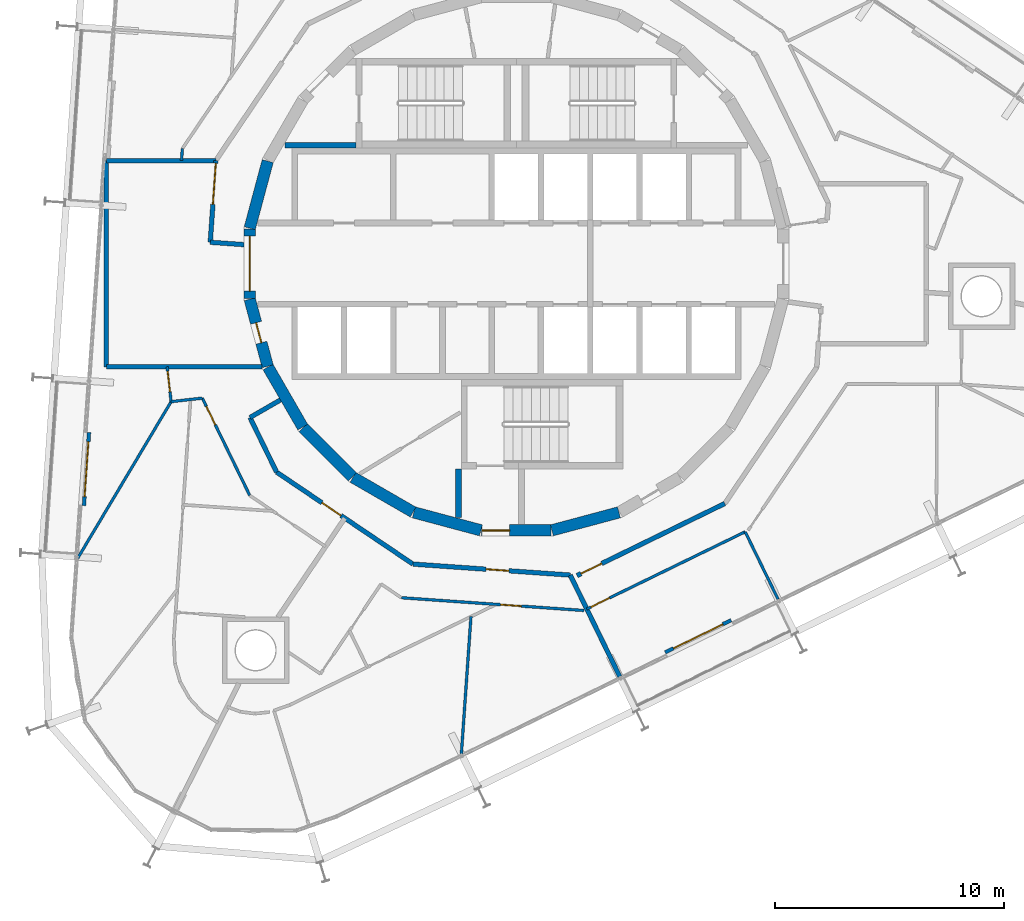
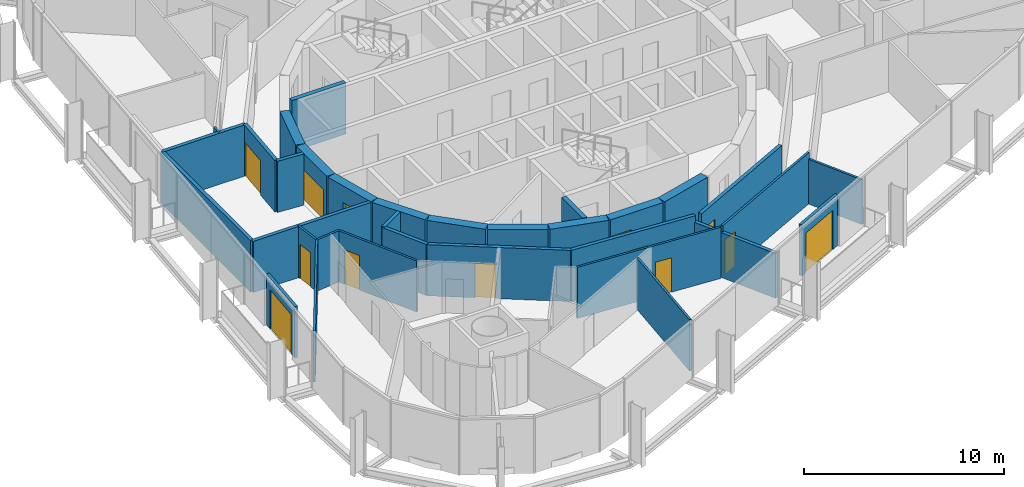
# One storey, part 12 of 17: 33 walls, 13 doors, 13 openings.
"""IFC4 building model written with IfcOpenShell, lengths in metres."""

from ifc_helpers import new_model, si_unit, direction, frame, frame_2d, origin, place, context, subcontext, project, spatial, rectangle, extrude, material, layer, layer_set, type_object, element, fill, save


model = new_model("IFC4")

# Units and contexts
model_context = context("Model", 3, precision=1e-05, world=origin(), true_north=direction((0.0, 1.0)))
body_context = subcontext(model_context, "Body", "Model", "MODEL_VIEW")
ifc_project = project(units=[si_unit("LENGTHUNIT", "METRE"), si_unit("AREAUNIT", "SQUARE_METRE"), si_unit("VOLUMEUNIT", "CUBIC_METRE"), si_unit("PLANEANGLEUNIT", "RADIAN"), si_unit("MASSUNIT", "GRAM", prefix="KILO")], contexts=[model_context])

# Site, building, storey
site_placement = place(None, origin())
site = spatial("IfcSite", under=ifc_project, at=site_placement, CompositionType="ELEMENT")
building_placement = place(site_placement, origin())
building = spatial("IfcBuilding", under=site, at=building_placement, Name="Spindle Arch Residences", CompositionType="ELEMENT")
storey_placement = place(building_placement, frame((0.0, 0.0, 191.89990234375)))
storey = spatial("IfcBuildingStorey", under=building, at=storey_placement, Name="L48", CompositionType="ELEMENT", Elevation=191.89990234375)

# Walls
ifc_material_1 = material(Name="Concrete C50/60", Category="concrete")
ifc_layer_1 = layer(ifc_material_1, 0.5)
ifc_layer_set_1 = layer_set([ifc_layer_1], Name="Core outline wall 500")
wall_type_1 = type_object("IfcWallType", Name="Core outline wall 500", PredefinedType="SHEAR", material=ifc_layer_set_1)
for number, where, z_axis, x_axis, name in (
    (1, (1.5498046875, -11.642822265625, 0.0), (0.0, 0.0, 1.0), (0.965948410781, 0.258734743916, 0.0), "Core outline wall 1"),
    (2, (-10.858154296875, 4.479248046875, 0.0), (0.0, 0.0, 1.0), (-0.258734743916, -0.965948410781, 0.0), "Core outline wall 17"),
):
    element("IfcWall", number, at=place(storey_placement, frame(where, z_axis=z_axis, x_axis=x_axis)), inside=storey, type_object=wall_type_1, Name=name, PredefinedType="SHEAR", context=body_context, shape_type="SweptSolid", body=[
        extrude(rectangle(XDim=3.03271484375, YDim=0.5, at=frame_2d((1.516357421875, 0.0))), origin(), (0.0, 0.0, 1.0), 3.1201171875),
    ])

# Wall, opening, door
wall_1_placement = place(storey_placement, frame((-11.647216796875, 1.516357421875, 0.0), z_axis=(0.0, 0.0, 1.0), x_axis=(0.0, -1.0, 0.0)))
wall_1 = element("IfcWall", 3, at=wall_1_placement, inside=storey, type_object=wall_type_1, Name="Core outline wall 18", PredefinedType="SHEAR", context=body_context, shape_type="SweptSolid", body=[
    extrude(rectangle(XDim=3.03271484375, YDim=0.5, at=frame_2d((1.516357421875, 0.0))), origin(), (0.0, 0.0, 1.0), 3.1201171875),
])
opening_1_placement = place(wall_1_placement, frame((0.31640625, 0.0, 0.0)))
opening_1 = element("IfcOpeningElement", 4, at=opening_1_placement, cuts=wall_1, Name="Opening R5A1-LE01", PredefinedType="OPENING", context=body_context, shape_type="SweptSolid", body=[
    extrude(rectangle(XDim=2.39990234375, YDim=2.10009765625, at=frame_2d((1.199951171875, 1.050048828125))), frame((0.0, 0.260009765625, 0.0), z_axis=(0.0, -1.0, 0.0), x_axis=(1.0, 0.0, 0.0)), (0.0, 0.0, 1.0), 0.52001953125),
])
ifc_material_2 = material(Name="Steel, fire-resisting door", Category="steel")
door_type_1 = type_object("IfcDoorType", Name="Lift lobby entrance door 2400x2100", OperationType="DOUBLE_DOOR_SINGLE_SWING", PredefinedType="DOOR", material=ifc_material_2)
door_1_placement = place(opening_1_placement, origin())
door_1 = element("IfcDoor", 5, at=door_1_placement, inside=storey, type_object=door_type_1, Name="Lift lobby entrance door R5A1-LE01", OperationType="DOUBLE_DOOR_SINGLE_SWING", OverallHeight=2.10009765625, OverallWidth=2.39990234375, PredefinedType="DOOR", context=body_context, shape_type="SweptSolid", body=[
    extrude(rectangle(XDim=2.39990234375, YDim=2.10009765625, at=frame_2d((1.199951171875, 1.050048828125))), frame((0.0, 0.02490234375, 0.0), z_axis=(0.0, -1.0, 0.0), x_axis=(1.0, 0.0, 0.0)), (0.0, 0.0, 1.0), 0.050048828125),
])
fill(opening_1, door_1)

wall_2_placement = place(storey_placement, frame((-11.642822265625, -1.5498046875, 0.0), z_axis=(0.0, 0.0, 1.0), x_axis=(0.258734743916, -0.965948410781, 0.0)))
wall_2 = element("IfcWall", 6, at=wall_2_placement, inside=storey, type_object=wall_type_1, Name="Core outline wall 19", PredefinedType="SHEAR", context=body_context, shape_type="SweptSolid", body=[
    extrude(rectangle(XDim=3.03271484375, YDim=0.5, at=frame_2d((1.516357421875, 0.0))), origin(), (0.0, 0.0, 1.0), 3.1201171875),
])
opening_2_placement = place(wall_2_placement, frame((1.06640625, 0.0, 0.0)))
opening_2 = element("IfcOpeningElement", 7, at=opening_2_placement, cuts=wall_2, Name="Opening R5A1-WD11", PredefinedType="OPENING", context=body_context, shape_type="SweptSolid", body=[
    extrude(rectangle(XDim=0.89990234375, YDim=2.10009765625, at=frame_2d((0.449951171875, 1.050048828125))), frame((0.0, 0.260009765625, 0.0), z_axis=(0.0, -1.0, 0.0), x_axis=(1.0, 0.0, 0.0)), (0.0, 0.0, 1.0), 0.52001953125),
])
ifc_material_3 = material(Name="Steel, fire-resisting door", Category="steel")
door_type_2 = type_object("IfcDoorType", Name="Service room door 900x2100", OperationType="SINGLE_SWING_LEFT", PredefinedType="DOOR", material=ifc_material_3)
door_2_placement = place(opening_2_placement, origin())
door_2 = element("IfcDoor", 8, at=door_2_placement, inside=storey, type_object=door_type_2, Name="Service room door R5A1-WD11", OperationType="SINGLE_SWING_LEFT", OverallHeight=2.10009765625, OverallWidth=0.89990234375, PredefinedType="DOOR", context=body_context, shape_type="SweptSolid", body=[
    extrude(rectangle(XDim=0.89990234375, YDim=2.10009765625, at=frame_2d((0.449951171875, 1.050048828125))), frame((0.0, 0.02490234375, 0.0), z_axis=(0.0, -1.0, 0.0), x_axis=(1.0, 0.0, 0.0)), (0.0, 0.0, 1.0), 0.050048828125),
])
fill(opening_2, door_2)

# Walls
wall_3_placement = place(storey_placement, frame((-10.84521484375, -4.510498046875, 0.0), z_axis=(0.0, 0.0, 1.0), x_axis=(0.500087131594, -0.865975092491, 0.0)))
element("IfcWall", 9, at=wall_3_placement, inside=storey, type_object=wall_type_1, Name="Core outline wall 20", PredefinedType="SHEAR", context=body_context, shape_type="SweptSolid", body=[
    extrude(rectangle(XDim=3.03271484375, YDim=0.5, at=frame_2d((1.516357421875, 0.0))), origin(), (0.0, 0.0, 1.0), 3.1201171875),
])
wall_4_placement = place(storey_placement, frame((-9.30810546875, -7.163818359375, 0.0), z_axis=(0.0, 0.0, 1.0), x_axis=(0.707106781187, -0.707106781187, 0.0)))
element("IfcWall", 10, at=wall_4_placement, inside=storey, type_object=wall_type_1, Name="Core outline wall 21", PredefinedType="SHEAR", context=body_context, shape_type="SweptSolid", body=[
    extrude(rectangle(XDim=3.032470703125, YDim=0.5, at=frame_2d((1.51611328125, 0.0))), origin(), (0.0, 0.0, 1.0), 3.1201171875),
])
for number, where, z_axis, x_axis, name in (
    (11, (-7.13671875, -9.32861328125, 0.0), (0.0, 0.0, 1.0), (0.865975092491, -0.500087131594, 0.0), "Core outline wall 22"),
    (12, (-4.479248046875, -10.858154296875, 0.0), (0.0, 0.0, 1.0), (0.965948410781, -0.258734743916, 0.0), "Core outline wall 23"),
):
    element("IfcWall", number, at=place(storey_placement, frame(where, z_axis=z_axis, x_axis=x_axis)), inside=storey, type_object=wall_type_1, Name=name, PredefinedType="SHEAR", context=body_context, shape_type="SweptSolid", body=[
        extrude(rectangle(XDim=3.03271484375, YDim=0.5, at=frame_2d((1.516357421875, 0.0))), origin(), (0.0, 0.0, 1.0), 3.1201171875),
    ])

# Wall, opening, door
wall_5_placement = place(storey_placement, frame((-1.516357421875, -11.647216796875, 0.0), z_axis=(0.0, 0.0, 1.0), x_axis=(1.0, 0.0, 0.0)))
wall_5 = element("IfcWall", 13, at=wall_5_placement, inside=storey, type_object=wall_type_1, Name="Core outline wall 24", PredefinedType="SHEAR", context=body_context, shape_type="SweptSolid", body=[
    extrude(rectangle(XDim=3.03271484375, YDim=0.5, at=frame_2d((1.516357421875, 0.0))), origin(), (0.0, 0.0, 1.0), 3.1201171875),
])
opening_3_placement = place(wall_5_placement, frame((0.016357421875, 0.0, 0.0)))
opening_3 = element("IfcOpeningElement", 14, at=opening_3_placement, cuts=wall_5, Name="Opening R5A1-AD03", PredefinedType="OPENING", context=body_context, shape_type="SweptSolid", body=[
    extrude(rectangle(XDim=1.199951171875, YDim=2.10009765625, at=frame_2d((0.60009765625, 1.050048828125))), frame((0.0, 0.260009765625, 0.0), z_axis=(0.0, -1.0, 0.0), x_axis=(1.0, 0.0, 0.0)), (0.0, 0.0, 1.0), 0.52001953125),
])
ifc_material_4 = material(Name="Steel, fire-resisting door", Category="steel")
door_type_3 = type_object("IfcDoorType", Name="Stair airlock door 1200x2100", OperationType="SINGLE_SWING_LEFT", PredefinedType="DOOR", material=ifc_material_4)
door_3_placement = place(opening_3_placement, origin())
door_3 = element("IfcDoor", 15, at=door_3_placement, inside=storey, type_object=door_type_3, Name="Stair airlock door R5A1-AD03", OperationType="SINGLE_SWING_RIGHT", OverallHeight=2.10009765625, OverallWidth=1.199951171875, PredefinedType="DOOR", context=body_context, shape_type="SweptSolid", body=[
    extrude(rectangle(XDim=1.199951171875, YDim=2.10009765625, at=frame_2d((0.60009765625, 1.050048828125))), frame((0.0, 0.02490234375, 0.0), z_axis=(0.0, -1.0, 0.0), x_axis=(1.0, 0.0, 0.0)), (0.0, 0.0, 1.0), 0.050048828125),
])
fill(opening_3, door_3)

# Walls
ifc_material_5 = material(Name="Calcium silicate block, plastered")
ifc_layer_2 = layer(ifc_material_5, 0.199951171875)
ifc_layer_set_2 = layer_set([ifc_layer_2], Name="Corridor wall 200")
wall_type_2 = type_object("IfcWallType", Name="Corridor wall 200", PredefinedType="STANDARD", material=ifc_layer_set_2)
wall_6_placement = place(storey_placement, frame((-10.303466796875, -5.94873046875, 0.0), z_axis=(0.0, 0.0, 1.0), x_axis=(-0.866042588199, -0.499970234539, 0.0)))
element("IfcWall", 16, at=wall_6_placement, inside=storey, type_object=wall_type_2, Name="Corridor wall R5A1-W015", PredefinedType="STANDARD", context=body_context, shape_type="SweptSolid", body=[
    extrude(rectangle(XDim=1.53515625, YDim=0.199951171875, at=frame_2d((0.767578125, 0.0))), origin(), (0.0, 0.0, 1.0), 3.1201171875),
])
wall_7_placement = place(storey_placement, frame((-11.633056640625, -6.71630859375, 0.0), z_axis=(0.0, 0.0, 1.0), x_axis=(0.438322116278, -0.898817958422, 0.0)))
element("IfcWall", 17, at=wall_7_placement, inside=storey, type_object=wall_type_2, Name="Corridor wall R5A1-W016", PredefinedType="STANDARD", context=body_context, shape_type="SweptSolid", body=[
    extrude(rectangle(XDim=2.653564453125, YDim=0.199951171875, at=frame_2d((1.32666015625, 0.0))), origin(), (0.0, 0.0, 1.0), 3.1201171875),
])

# Wall, opening, door
wall_8_placement = place(storey_placement, frame((-10.469970703125, -9.101318359375, 0.0), z_axis=(0.0, 0.0, 1.0), x_axis=(0.829035841718, -0.559195469534, 0.0)))
wall_8 = element("IfcWall", 18, at=wall_8_placement, inside=storey, type_object=wall_type_2, Name="Corridor wall R5A1-W017", PredefinedType="STANDARD", context=body_context, shape_type="SweptSolid", body=[
    extrude(rectangle(XDim=7.18115234375, YDim=0.199951171875, at=frame_2d((3.590576171875, 0.0))), origin(), (0.0, 0.0, 1.0), 3.1201171875),
])
opening_4_placement = place(wall_8_placement, frame((2.390380859375, 0.0, 0.0)))
opening_4 = element("IfcOpeningElement", 19, at=opening_4_placement, cuts=wall_8, Name="Opening R5A1-FD04", PredefinedType="OPENING", context=body_context, shape_type="SweptSolid", body=[
    extrude(rectangle(XDim=1.0, YDim=2.10009765625, at=frame_2d((0.5, 1.050048828125))), frame((0.0, 0.10986328125, 0.0), z_axis=(0.0, -1.0, 0.0), x_axis=(1.0, 0.0, 0.0)), (0.0, 0.0, 1.0), 0.219970703125),
])
ifc_material_6 = material(Name="Timber, fire-resisting door set", Category="wood")
door_type_4 = type_object("IfcDoorType", Name="Flat entrance door 1000x2100", OperationType="NOTDEFINED", PredefinedType="DOOR", material=ifc_material_6)
door_4_placement = place(opening_4_placement, origin())
door_4 = element("IfcDoor", 20, at=door_4_placement, inside=storey, type_object=door_type_4, Name="Flat entrance door R5A1-FD04", OperationType="SINGLE_SWING_RIGHT", OverallHeight=2.10009765625, OverallWidth=1.0, PredefinedType="DOOR", context=body_context, shape_type="SweptSolid", body=[
    extrude(rectangle(XDim=1.0, YDim=2.10009765625, at=frame_2d((0.5, 1.050048828125))), frame((0.0, 0.02490234375, 0.0), z_axis=(0.0, -1.0, 0.0), x_axis=(1.0, 0.0, 0.0)), (0.0, 0.0, 1.0), 0.050048828125),
])
fill(opening_4, door_4)

wall_9_placement = place(storey_placement, frame((-4.5166015625, -13.116943359375, 0.0), z_axis=(0.0, 0.0, 1.0), x_axis=(0.997564669554, -0.069747616856, 0.0)))
wall_9 = element("IfcWall", 21, at=wall_9_placement, inside=storey, type_object=wall_type_2, Name="Corridor wall R5A1-W018", PredefinedType="STANDARD", context=body_context, shape_type="SweptSolid", body=[
    extrude(rectangle(XDim=6.88525390625, YDim=0.199951171875, at=frame_2d((3.442626953125, 0.0))), origin(), (0.0, 0.0, 1.0), 3.1201171875),
])
opening_5_placement = place(wall_9_placement, frame((3.199951171875, 0.0, 0.0)))
opening_5 = element("IfcOpeningElement", 22, at=opening_5_placement, cuts=wall_9, Name="Opening R5A1-FD05", PredefinedType="OPENING", context=body_context, shape_type="SweptSolid", body=[
    extrude(rectangle(XDim=1.0, YDim=2.10009765625, at=frame_2d((0.5, 1.050048828125))), frame((0.0, 0.10986328125, 0.0), z_axis=(0.0, -1.0, 0.0), x_axis=(1.0, 0.0, 0.0)), (0.0, 0.0, 1.0), 0.219970703125),
])
door_5_placement = place(opening_5_placement, origin())
door_5 = element("IfcDoor", 23, at=door_5_placement, inside=storey, type_object=door_type_4, Name="Flat entrance door R5A1-FD05", OperationType="SINGLE_SWING_LEFT", OverallHeight=2.10009765625, OverallWidth=1.0, PredefinedType="DOOR", context=body_context, shape_type="SweptSolid", body=[
    extrude(rectangle(XDim=1.0, YDim=2.10009765625, at=frame_2d((0.5, 1.050048828125))), frame((0.0, 0.02490234375, 0.0), z_axis=(0.0, -1.0, 0.0), x_axis=(1.0, 0.0, 0.0)), (0.0, 0.0, 1.0), 0.050048828125),
])
fill(opening_5, door_5)

wall_10_placement = place(storey_placement, frame((2.64697265625, -13.617919921875, 0.0), z_axis=(0.0, 0.0, 1.0), x_axis=(0.898796543751, 0.438366026218, 0.0)))
wall_10 = element("IfcWall", 24, at=wall_10_placement, inside=storey, type_object=wall_type_2, Name="Corridor wall R5A1-W019", PredefinedType="STANDARD", context=body_context, shape_type="SweptSolid", body=[
    extrude(rectangle(XDim=7.18115234375, YDim=0.199951171875, at=frame_2d((3.590576171875, 0.0))), origin(), (0.0, 0.0, 1.0), 3.1201171875),
])
opening_6_placement = place(wall_10_placement, frame((0.199951171875, 0.0, 0.0)))
opening_6 = element("IfcOpeningElement", 25, at=opening_6_placement, cuts=wall_10, Name="Opening R5A1-FD06", PredefinedType="OPENING", context=body_context, shape_type="SweptSolid", body=[
    extrude(rectangle(XDim=1.0, YDim=2.10009765625, at=frame_2d((0.5, 1.050048828125))), frame((0.0, 0.10986328125, 0.0), z_axis=(0.0, -1.0, 0.0), x_axis=(1.0, 0.0, 0.0)), (0.0, 0.0, 1.0), 0.219970703125),
])
door_6_placement = place(opening_6_placement, origin())
door_6 = element("IfcDoor", 26, at=door_6_placement, inside=storey, type_object=door_type_4, Name="Flat entrance door R5A1-FD06", OperationType="SINGLE_SWING_LEFT", OverallHeight=2.10009765625, OverallWidth=1.0, PredefinedType="DOOR", context=body_context, shape_type="SweptSolid", body=[
    extrude(rectangle(XDim=1.0, YDim=2.10009765625, at=frame_2d((0.5, 1.050048828125))), frame((0.0, 0.02490234375, 0.0), z_axis=(0.0, -1.0, 0.0), x_axis=(1.0, 0.0, 0.0)), (0.0, 0.0, 1.0), 0.050048828125),
])
fill(opening_6, door_6)

# Wall
ifc_material_7 = material(Name="Plasterboard on steel studs", Category="steel")
ifc_layer_3 = layer(ifc_material_7, 0.1201171875)
ifc_layer_set_3 = layer_set([ifc_layer_3], Name="Flat partition 120")
wall_type_3 = type_object("IfcWallType", Name="Flat partition 120", PredefinedType="PARTITIONING", material=ifc_layer_set_3)
wall_11_placement = place(storey_placement, frame((-14.585205078125, 5.022216796875, 0.0), z_axis=(0.0, 0.0, 1.0), x_axis=(-0.069490327804, -0.997582625321, 0.0)))
element("IfcWall", 27, at=wall_11_placement, inside=storey, type_object=wall_type_3, Name="Flat partition R5A1-W062", PredefinedType="PARTITIONING", context=body_context, shape_type="SweptSolid", body=[
    extrude(rectangle(XDim=0.5234375, YDim=0.1201171875, at=frame_2d((0.26171875, 0.0))), origin(), (0.0, 0.0, 1.0), 3.1201171875),
])

# Wall, opening, door
wall_12_placement = place(storey_placement, frame((-15.24951171875, -4.5, 0.0), z_axis=(0.0, 0.0, 1.0), x_axis=(0.1124919794, -0.99365263275, 0.0)))
wall_12 = element("IfcWall", 28, at=wall_12_placement, inside=storey, type_object=wall_type_3, Name="Flat partition R5A1-W072", PredefinedType="PARTITIONING", context=body_context, shape_type="SweptSolid", body=[
    extrude(rectangle(XDim=1.534423828125, YDim=0.1201171875, at=frame_2d((0.76708984375, 0.0))), origin(), (0.0, 0.0, 1.0), 3.1201171875),
])
opening_7_placement = place(wall_12_placement, frame((0.199951171875, 0.0, 0.0)))
opening_7 = element("IfcOpeningElement", 29, at=opening_7_placement, cuts=wall_12, Name="Opening R5A1-ID14", PredefinedType="OPENING", context=body_context, shape_type="SweptSolid", body=[
    extrude(rectangle(XDim=0.89990234375, YDim=2.10009765625, at=frame_2d((0.449951171875, 1.050048828125))), frame((0.0, 0.070068359375, 0.0), z_axis=(0.0, -1.0, 0.0), x_axis=(1.0, 0.0, 0.0)), (0.0, 0.0, 1.0), 0.14013671875),
])
ifc_material_8 = material(Name="Timber door set", Category="wood")
door_type_5 = type_object("IfcDoorType", Name="Room door 900x2100", OperationType="NOTDEFINED", PredefinedType="DOOR", material=ifc_material_8)
door_7_placement = place(opening_7_placement, origin())
door_7 = element("IfcDoor", 30, at=door_7_placement, inside=storey, type_object=door_type_5, Name="Room door R5A1-ID14", OperationType="SINGLE_SWING_RIGHT", OverallHeight=2.10009765625, OverallWidth=0.89990234375, PredefinedType="DOOR", context=body_context, shape_type="SweptSolid", body=[
    extrude(rectangle(XDim=0.89990234375, YDim=2.10009765625, at=frame_2d((0.449951171875, 1.050048828125))), frame((0.0, 0.02490234375, 0.0), z_axis=(0.0, -1.0, 0.0), x_axis=(1.0, 0.0, 0.0)), (0.0, 0.0, 1.0), 0.050048828125),
])
fill(opening_7, door_7)

# Wall
wall_13_placement = place(storey_placement, frame((-15.076904296875, -6.024658203125, 0.0), z_axis=(0.0, 0.0, 1.0), x_axis=(0.993646958109, 0.112542092746, 0.0)))
element("IfcWall", 31, at=wall_13_placement, inside=storey, type_object=wall_type_3, Name="Flat partition R5A1-W073", PredefinedType="PARTITIONING", context=body_context, shape_type="SweptSolid", body=[
    extrude(rectangle(XDim=1.37109375, YDim=0.1201171875, at=frame_2d((0.685546875, 0.0))), origin(), (0.0, 0.0, 1.0), 3.1201171875),
])

# Wall, opening, door
wall_14_placement = place(storey_placement, frame((-13.714599609375, -5.870361328125, 0.0), z_axis=(0.0, 0.0, 1.0), x_axis=(0.438372766482, -0.89879325632, 0.0)))
wall_14 = element("IfcWall", 32, at=wall_14_placement, inside=storey, type_object=wall_type_3, Name="Flat partition R5A1-W074", PredefinedType="PARTITIONING", context=body_context, shape_type="SweptSolid", body=[
    extrude(rectangle(XDim=4.728271484375, YDim=0.1201171875, at=frame_2d((2.3642578125, 0.0))), origin(), (0.0, 0.0, 1.0), 3.1201171875),
])
opening_8_placement = place(wall_14_placement, frame((0.39990234375, 0.0, 0.0)))
opening_8 = element("IfcOpeningElement", 33, at=opening_8_placement, cuts=wall_14, Name="Opening R5A1-ID15", PredefinedType="OPENING", context=body_context, shape_type="SweptSolid", body=[
    extrude(rectangle(XDim=0.89990234375, YDim=2.10009765625, at=frame_2d((0.449951171875, 1.050048828125))), frame((0.0, 0.070068359375, 0.0), z_axis=(0.0, -1.0, 0.0), x_axis=(1.0, 0.0, 0.0)), (0.0, 0.0, 1.0), 0.14013671875),
])
door_8_placement = place(opening_8_placement, origin())
door_8 = element("IfcDoor", 34, at=door_8_placement, inside=storey, type_object=door_type_5, Name="Room door R5A1-ID15", OperationType="SINGLE_SWING_RIGHT", OverallHeight=2.10009765625, OverallWidth=0.89990234375, PredefinedType="DOOR", context=body_context, shape_type="SweptSolid", body=[
    extrude(rectangle(XDim=0.89990234375, YDim=2.10009765625, at=frame_2d((0.449951171875, 1.050048828125))), frame((0.0, 0.02490234375, 0.0), z_axis=(0.0, -1.0, 0.0), x_axis=(1.0, 0.0, 0.0)), (0.0, 0.0, 1.0), 0.050048828125),
])
fill(opening_8, door_8)

# Wall
wall_15_placement = place(storey_placement, frame((-19.156494140625, -12.86328125, 0.0), z_axis=(0.0, 0.0, 1.0), x_axis=(0.512316386407, 0.858796786335, 0.0)))
element("IfcWall", 35, at=wall_15_placement, inside=storey, type_object=wall_type_3, Name="Flat partition R5A1-W076", PredefinedType="PARTITIONING", context=body_context, shape_type="SweptSolid", body=[
    extrude(rectangle(XDim=7.963134765625, YDim=0.1201171875, at=frame_2d((3.9814453125, 0.0))), origin(), (0.0, 0.0, 1.0), 3.1201171875),
])

# Wall, opening, door
wall_16_placement = place(storey_placement, frame((-5.022216796875, -14.585205078125, 0.0), z_axis=(0.0, 0.0, 1.0), x_axis=(0.997565118395, -0.069741197017, 0.0)))
wall_16 = element("IfcWall", 36, at=wall_16_placement, inside=storey, type_object=wall_type_3, Name="Flat partition R5A1-W089", PredefinedType="PARTITIONING", context=body_context, shape_type="SweptSolid", body=[
    extrude(rectangle(XDim=7.985107421875, YDim=0.1201171875, at=frame_2d((3.99267578125, 0.0))), origin(), (0.0, 0.0, 1.0), 3.1201171875),
])
opening_9_placement = place(wall_16_placement, frame((4.346435546875, 0.0, 0.0)))
opening_9 = element("IfcOpeningElement", 37, at=opening_9_placement, cuts=wall_16, Name="Opening R5A1-ID21", PredefinedType="OPENING", context=body_context, shape_type="SweptSolid", body=[
    extrude(rectangle(XDim=0.89990234375, YDim=2.10009765625, at=frame_2d((0.449951171875, 1.050048828125))), frame((0.0, 0.070068359375, 0.0), z_axis=(0.0, -1.0, 0.0), x_axis=(1.0, 0.0, 0.0)), (0.0, 0.0, 1.0), 0.14013671875),
])
door_9_placement = place(opening_9_placement, origin())
door_9 = element("IfcDoor", 38, at=door_9_placement, inside=storey, type_object=door_type_5, Name="Room door R5A1-ID21", OperationType="SINGLE_SWING_LEFT", OverallHeight=2.10009765625, OverallWidth=0.89990234375, PredefinedType="DOOR", context=body_context, shape_type="SweptSolid", body=[
    extrude(rectangle(XDim=0.89990234375, YDim=2.10009765625, at=frame_2d((0.449951171875, 1.050048828125))), frame((0.0, 0.02490234375, 0.0), z_axis=(0.0, -1.0, 0.0), x_axis=(1.0, 0.0, 0.0)), (0.0, 0.0, 1.0), 0.050048828125),
])
fill(opening_9, door_9)

# Wall
wall_17_placement = place(storey_placement, frame((-2.402587890625, -21.39990234375, 0.0), z_axis=(0.0, 0.0, 1.0), x_axis=(0.069729998801, 0.997565901215, 0.0)))
element("IfcWall", 39, at=wall_17_placement, inside=storey, type_object=wall_type_3, Name="Flat partition R5A1-W097", PredefinedType="PARTITIONING", context=body_context, shape_type="SweptSolid", body=[
    extrude(rectangle(XDim=6.004638671875, YDim=0.1201171875, at=frame_2d((3.00244140625, 0.0))), origin(), (0.0, 0.0, 1.0), 3.1201171875),
])

# Wall, opening, door
wall_18_placement = place(storey_placement, frame((3.07421875, -15.078369140625, 0.0), z_axis=(0.0, 0.0, 1.0), x_axis=(0.898800770739, 0.438357359377, 0.0)))
wall_18 = element("IfcWall", 40, at=wall_18_placement, inside=storey, type_object=wall_type_3, Name="Flat partition R5A1-W098", PredefinedType="PARTITIONING", context=body_context, shape_type="SweptSolid", body=[
    extrude(rectangle(XDim=7.693603515625, YDim=0.1201171875, at=frame_2d((3.8466796875, 0.0))), origin(), (0.0, 0.0, 1.0), 3.1201171875),
])
opening_10_placement = place(wall_18_placement, frame((0.199951171875, 0.0, 0.0)))
opening_10 = element("IfcOpeningElement", 41, at=opening_10_placement, cuts=wall_18, Name="Opening R5A1-ID24", PredefinedType="OPENING", context=body_context, shape_type="SweptSolid", body=[
    extrude(rectangle(XDim=0.89990234375, YDim=2.10009765625, at=frame_2d((0.449951171875, 1.050048828125))), frame((0.0, 0.070068359375, 0.0), z_axis=(0.0, -1.0, 0.0), x_axis=(1.0, 0.0, 0.0)), (0.0, 0.0, 1.0), 0.14013671875),
])
door_10_placement = place(opening_10_placement, origin())
door_10 = element("IfcDoor", 42, at=door_10_placement, inside=storey, type_object=door_type_5, Name="Room door R5A1-ID24", OperationType="SINGLE_SWING_LEFT", OverallHeight=2.10009765625, OverallWidth=0.89990234375, PredefinedType="DOOR", context=body_context, shape_type="SweptSolid", body=[
    extrude(rectangle(XDim=0.89990234375, YDim=2.10009765625, at=frame_2d((0.449951171875, 1.050048828125))), frame((0.0, 0.02490234375, 0.0), z_axis=(0.0, -1.0, 0.0), x_axis=(1.0, 0.0, 0.0)), (0.0, 0.0, 1.0), 0.050048828125),
])
fill(opening_10, door_10)

# Walls
ifc_material_9 = material(Name="Plasterboard on steel studs", Category="steel")
ifc_layer_4 = layer(ifc_material_9, 0.1201171875)
ifc_layer_set_4 = layer_set([ifc_layer_4], Name="Flat partition 120 under beam 2730")
wall_type_4 = type_object("IfcWallType", Name="Flat partition 120 under beam 2730", PredefinedType="PARTITIONING", material=ifc_layer_set_4)
wall_19_placement = place(storey_placement, frame((11.427490234375, -14.654296875, 0.0), z_axis=(0.0, 0.0, 1.0), x_axis=(-0.438410435857, 0.898774882677, 0.0)))
element("IfcWall", 43, at=wall_19_placement, inside=storey, type_object=wall_type_4, Name="Flat partition R5A1-W102", PredefinedType="PARTITIONING", context=body_context, shape_type="SweptSolid", body=[
    extrude(rectangle(XDim=3.280517578125, YDim=0.1201171875, at=frame_2d((1.64013671875, 0.0))), origin(), (0.0, 0.0, 1.0), 2.72998046875),
])
ifc_material_10 = material(Name="Calcium silicate block, plastered")
ifc_layer_5 = layer(ifc_material_10, 0.199951171875)
ifc_layer_set_5 = layer_set([ifc_layer_5], Name="Flat party wall 200 under beam 2730")
wall_type_5 = type_object("IfcWallType", Name="Flat party wall 200 under beam 2730", PredefinedType="STANDARD", material=ifc_layer_set_5)
wall_20_placement = place(storey_placement, frame((4.512451171875, -18.027099609375, 0.0), z_axis=(0.0, 0.0, 1.0), x_axis=(-0.438374835386, 0.898792247241, 0.0)))
element("IfcWall", 44, at=wall_20_placement, inside=storey, type_object=wall_type_5, Name="Flat party wall R5A1-W035", PredefinedType="STANDARD", context=body_context, shape_type="SweptSolid", body=[
    extrude(rectangle(XDim=4.9287109375, YDim=0.199951171875, at=frame_2d((2.46435546875, 0.0))), origin(), (0.0, 0.0, 1.0), 2.72998046875),
])

# Wall, opening, door
ifc_material_11 = material(Name="Non-combustible mineral wool insulated aluminium faced external wall (K0)", Category="aluminium")
ifc_layer_6 = layer(ifc_material_11, 0.159912109375)
ifc_layer_set_6 = layer_set([ifc_layer_6], Name="Insulated external wall panel 160")
wall_type_6 = type_object("IfcWallType", Name="Insulated external wall panel 160", PredefinedType="STANDARD", material=ifc_layer_set_6)
wall_21_placement = place(storey_placement, frame((-18.66064453125, -7.37451171875, 0.0), z_axis=(0.0, 0.0, 1.0), x_axis=(-0.069734222855, -0.997565605944, 0.0)))
wall_21 = element("IfcWall", 45, at=wall_21_placement, inside=storey, type_object=wall_type_6, Name="External wall L48 bay 16", PredefinedType="STANDARD", context=body_context, shape_type="SweptSolid", body=[
    extrude(rectangle(XDim=3.199951171875, YDim=0.159912109375, at=frame_2d((1.60009765625, 0.0))), origin(), (0.0, 0.0, 1.0), 3.1201171875),
])
opening_11_placement = place(wall_21_placement, frame((0.39990234375, 0.0, 0.0)))
opening_11 = element("IfcOpeningElement", 46, at=opening_11_placement, cuts=wall_21, Name="Opening BD16", PredefinedType="OPENING", context=body_context, shape_type="SweptSolid", body=[
    extrude(rectangle(XDim=2.39990234375, YDim=2.39990234375, at=frame_2d((1.199951171875, 1.199951171875))), frame((0.0, 0.08984375, 0.0), z_axis=(0.0, -1.0, 0.0), x_axis=(1.0, 0.0, 0.0)), (0.0, 0.0, 1.0), 0.179931640625),
])
ifc_material_12 = material(Name="Bronze aluminium frame, tinted double glazing", Category="aluminium")
door_type_6 = type_object("IfcDoorType", Name="Sliding glazed balcony door 2400x2400", OperationType="DOUBLE_DOOR_SLIDING", PredefinedType="DOOR", material=ifc_material_12)
door_11_placement = place(opening_11_placement, origin())
door_11 = element("IfcDoor", 47, at=door_11_placement, inside=storey, type_object=door_type_6, Name="Balcony door BD16", OperationType="DOUBLE_DOOR_SLIDING", OverallHeight=2.39990234375, OverallWidth=2.39990234375, PredefinedType="DOOR", context=body_context, shape_type="SweptSolid", body=[
    extrude(rectangle(XDim=2.39990234375, YDim=2.39990234375, at=frame_2d((1.199951171875, 1.199951171875))), frame((0.0, 0.02490234375, 0.0), z_axis=(0.0, -1.0, 0.0), x_axis=(1.0, 0.0, 0.0)), (0.0, 0.0, 1.0), 0.050048828125),
])
fill(opening_11, door_11)

wall_22_placement = place(storey_placement, frame((6.496826171875, -16.97021484375, 0.0), z_axis=(0.0, 0.0, 1.0), x_axis=(0.898778711213, 0.43840258698, 0.0)))
wall_22 = element("IfcWall", 48, at=wall_22_placement, inside=storey, type_object=wall_type_6, Name="External wall L48 bay 22", PredefinedType="STANDARD", context=body_context, shape_type="SweptSolid", body=[
    extrude(rectangle(XDim=3.199951171875, YDim=0.159912109375, at=frame_2d((1.60009765625, 0.0))), origin(), (0.0, 0.0, 1.0), 3.1201171875),
])
opening_12_placement = place(wall_22_placement, frame((0.39990234375, 0.0, 0.0)))
opening_12 = element("IfcOpeningElement", 49, at=opening_12_placement, cuts=wall_22, Name="Opening BD22", PredefinedType="OPENING", context=body_context, shape_type="SweptSolid", body=[
    extrude(rectangle(XDim=2.39990234375, YDim=2.39990234375, at=frame_2d((1.199951171875, 1.199951171875))), frame((0.0, 0.08984375, 0.0), z_axis=(0.0, -1.0, 0.0), x_axis=(1.0, 0.0, 0.0)), (0.0, 0.0, 1.0), 0.179931640625),
])
door_12_placement = place(opening_12_placement, origin())
door_12 = element("IfcDoor", 50, at=door_12_placement, inside=storey, type_object=door_type_6, Name="Balcony door BD22", OperationType="DOUBLE_DOOR_SLIDING", OverallHeight=2.39990234375, OverallWidth=2.39990234375, PredefinedType="DOOR", context=body_context, shape_type="SweptSolid", body=[
    extrude(rectangle(XDim=2.39990234375, YDim=2.39990234375, at=frame_2d((1.199951171875, 1.199951171875))), frame((0.0, 0.02490234375, 0.0), z_axis=(0.0, -1.0, 0.0), x_axis=(1.0, 0.0, 0.0)), (0.0, 0.0, 1.0), 0.050048828125),
])
fill(opening_12, door_12)

ifc_material_13 = material(Name="Calcium silicate block, plastered")
ifc_layer_7 = layer(ifc_material_13, 0.199951171875)
ifc_layer_set_7 = layer_set([ifc_layer_7], Name="Lift lobby bay wall 200")
wall_type_7 = type_object("IfcWallType", Name="Lift lobby bay wall 200", PredefinedType="STANDARD", material=ifc_layer_set_7)
wall_23_placement = place(storey_placement, frame((-13.1181640625, 4.5, 0.0), z_axis=(0.0, 0.0, 1.0), x_axis=(-0.069746872611, -0.99756472159, 0.0)))
wall_23 = element("IfcWall", 51, at=wall_23_placement, inside=storey, type_object=wall_type_7, Name="Lift lobby bay wall R5A1-W008", PredefinedType="STANDARD", context=body_context, shape_type="SweptSolid", body=[
    extrude(rectangle(XDim=3.573974609375, YDim=0.199951171875, at=frame_2d((1.787109375, 0.0))), origin(), (0.0, 0.0, 1.0), 3.1201171875),
])
opening_13_placement = place(wall_23_placement, frame((0.114990234375, 0.0, 0.0)))
opening_13 = element("IfcOpeningElement", 52, at=opening_13_placement, cuts=wall_23, Name="Opening R5A1-LB01", PredefinedType="OPENING", context=body_context, shape_type="SweptSolid", body=[
    extrude(rectangle(XDim=1.800048828125, YDim=2.10009765625, at=frame_2d((0.89990234375, 1.050048828125))), frame((0.0, 0.10986328125, 0.0), z_axis=(0.0, -1.0, 0.0), x_axis=(1.0, 0.0, 0.0)), (0.0, 0.0, 1.0), 0.219970703125),
])
ifc_material_14 = material(Name="Steel, fire-resisting door", Category="steel")
door_type_7 = type_object("IfcDoorType", Name="Lift lobby bay door 1800x2100", OperationType="NOTDEFINED", PredefinedType="DOOR", material=ifc_material_14)
door_13_placement = place(opening_13_placement, origin())
door_13 = element("IfcDoor", 53, at=door_13_placement, inside=storey, type_object=door_type_7, Name="Lift lobby bay door R5A1-LB01", OperationType="DOUBLE_DOOR_SINGLE_SWING", OverallHeight=2.10009765625, OverallWidth=1.800048828125, PredefinedType="DOOR", context=body_context, shape_type="SweptSolid", body=[
    extrude(rectangle(XDim=1.800048828125, YDim=2.10009765625, at=frame_2d((0.89990234375, 1.050048828125))), frame((0.0, 0.02490234375, 0.0), z_axis=(0.0, -1.0, 0.0), x_axis=(1.0, 0.0, 0.0)), (0.0, 0.0, 1.0), 0.050048828125),
])
fill(opening_13, door_13)

# Walls
wall_24_placement = place(storey_placement, frame((-13.367431640625, 0.934814453125, 0.0), z_axis=(0.0, 0.0, 1.0), x_axis=(0.997553656289, -0.069904955655, 0.0)))
element("IfcWall", 54, at=wall_24_placement, inside=storey, type_object=wall_type_7, Name="Lift lobby bay wall R5A1-W009", PredefinedType="STANDARD", context=body_context, shape_type="SweptSolid", body=[
    extrude(rectangle(XDim=1.473876953125, YDim=0.199951171875, at=frame_2d((0.73681640625, 0.0))), origin(), (0.0, 0.0, 1.0), 3.1201171875),
])
wall_25_placement = place(storey_placement, frame((-13.1181640625, 4.5, 0.0), z_axis=(0.0, 0.0, 1.0), x_axis=(-1.0, 0.0, 0.0)))
element("IfcWall", 55, at=wall_25_placement, inside=storey, type_object=wall_type_7, Name="Lift lobby bay wall R5A1-W021", PredefinedType="STANDARD", context=body_context, shape_type="SweptSolid", body=[
    extrude(rectangle(XDim=4.78173828125, YDim=0.199951171875, at=frame_2d((2.390869140625, 0.0))), origin(), (0.0, 0.0, 1.0), 3.1201171875),
])
wall_26_placement = place(storey_placement, frame((-17.89990234375, 4.5, 0.0), z_axis=(0.0, 0.0, 1.0), x_axis=(0.0, -1.0, 0.0)))
element("IfcWall", 56, at=wall_26_placement, inside=storey, type_object=wall_type_7, Name="Lift lobby bay wall R5A1-W022", PredefinedType="STANDARD", context=body_context, shape_type="SweptSolid", body=[
    extrude(rectangle(XDim=9.0, YDim=0.199951171875, at=frame_2d((4.5, 0.0))), origin(), (0.0, 0.0, 1.0), 3.1201171875),
])
wall_27_placement = place(storey_placement, frame((-17.89990234375, -4.5, 0.0), z_axis=(0.0, 0.0, 1.0), x_axis=(1.0, 0.0, 0.0)))
element("IfcWall", 57, at=wall_27_placement, inside=storey, type_object=wall_type_7, Name="Lift lobby bay wall R5A1-W023", PredefinedType="STANDARD", context=body_context, shape_type="SweptSolid", body=[
    extrude(rectangle(XDim=6.78857421875, YDim=0.199951171875, at=frame_2d((3.394287109375, 0.0))), origin(), (0.0, 0.0, 1.0), 3.1201171875),
])
ifc_material_15 = material(Name="Concrete C40/50", Category="concrete")
ifc_layer_8 = layer(ifc_material_15, 0.25)
ifc_layer_set_8 = layer_set([ifc_layer_8], Name="Stair airlock wall 250")
wall_type_8 = type_object("IfcWallType", Name="Stair airlock wall 250", PredefinedType="SHEAR", material=ifc_layer_set_8)
wall_28_placement = place(storey_placement, frame((-7.0, 5.175048828125, 0.0), z_axis=(0.0, 0.0, 1.0), x_axis=(-1.0, 0.0, 0.0)))
element("IfcWall", 58, at=wall_28_placement, inside=storey, type_object=wall_type_8, Name="Stair ST-2 airlock wall S", PredefinedType="SHEAR", context=body_context, shape_type="SweptSolid", body=[
    extrude(rectangle(XDim=3.10009765625, YDim=0.25, at=frame_2d((1.550048828125, 0.0))), origin(), (0.0, 0.0, 1.0), 3.1201171875),
])
wall_29_placement = place(storey_placement, frame((-2.52490234375, -8.969970703125, 0.0), z_axis=(0.0, 0.0, 1.0), x_axis=(0.0, -1.0, 0.0)))
element("IfcWall", 59, at=wall_29_placement, inside=storey, type_object=wall_type_8, Name="Stair ST-3 airlock wall W", PredefinedType="SHEAR", context=body_context, shape_type="SweptSolid", body=[
    extrude(rectangle(XDim=2.110107421875, YDim=0.25, at=frame_2d((1.05517578125, 0.0))), origin(), (0.0, 0.0, 1.0), 3.1201171875),
])

save(model, "model.ifc")
